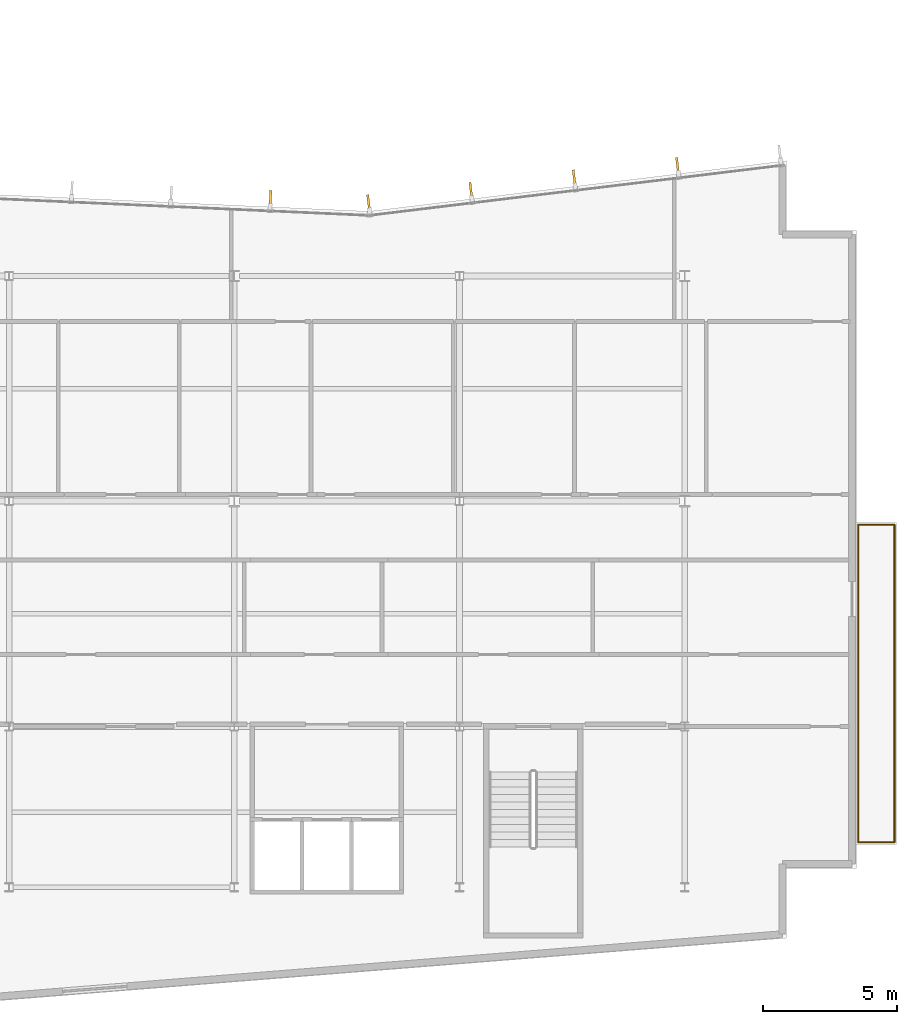
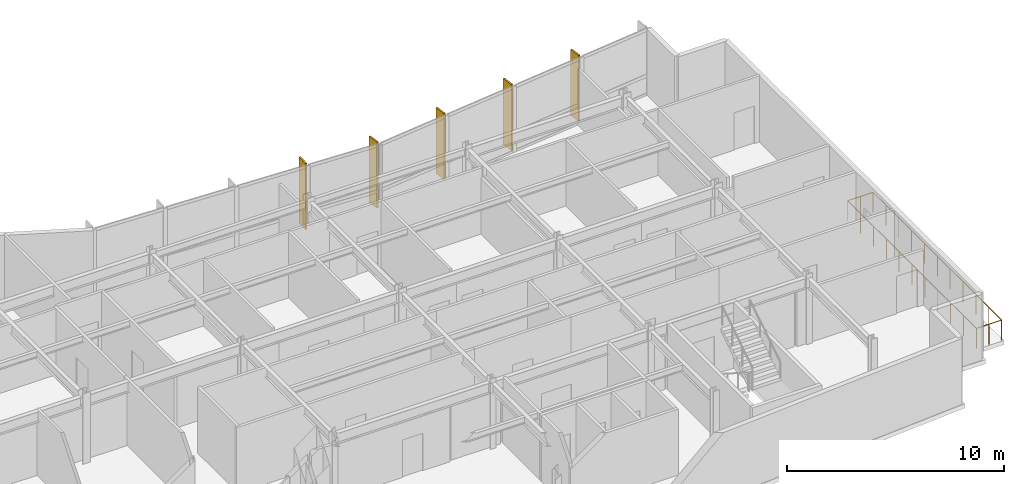
# One storey, part 15 of 17: 5 shading devices, 4 railings.
"""IFC4 building model written with IfcOpenShell, lengths in metres."""

import ifcopenshell
import ifcopenshell.guid

model = None  # the IFC model being written
_history = None  # IfcOwnerHistory: only IFC2X3 demands one
_inside = {}  # id of a spatial element -> (the spatial element, [elements in it])
_under = {}  # id of a project, library or spatial element -> (it, [spatial elements below it])
_declared = {}  # id of a project -> (the project, [libraries it declares])
_typed = {}  # id of a type object -> (the type object, [elements of that type])
_made_of = {}  # id of a material, layer set ... -> (it, [elements and type objects made of it])


def new_model(schema):
    """Start an empty IFC model of exactly this schema.

    Asked for "IFC4X3", IfcOpenShell would pick the latest addendum, in which some entities
    have other attributes; the version numbers below select the first issue.
    IFC2X3 requires an IfcOwnerHistory on every rooted entity: one is made here for all.
    """
    global model, _history
    if schema == "IFC4X3":
        model = ifcopenshell.file(schema_version=(4, 3, 0, 0))
    else:
        model = ifcopenshell.file(schema=schema)
    _inside.clear()
    _under.clear()
    _declared.clear()
    _typed.clear()
    _made_of.clear()
    _history = None
    if model.schema == "IFC2X3":
        org = make("IfcOrganization", Name="unknown")
        user = make(
            "IfcPersonAndOrganization",
            ThePerson=make("IfcPerson", FamilyName="unknown"),
            TheOrganization=org,
        )
        app = make(
            "IfcApplication",
            ApplicationDeveloper=org,
            Version="unknown",
            ApplicationFullName="unknown",
            ApplicationIdentifier="unknown",
        )
        _history = make(
            "IfcOwnerHistory",
            OwningUser=user,
            OwningApplication=app,
            ChangeAction="ADDED",
            CreationDate=0,
        )
    return model


def make(cls, **values):
    """One entity of the class cls with the attributes given. An attribute that is None is left unset."""
    return model.create_entity(
        cls, **{name: value for name, value in values.items() if value is not None}
    )


def rooted(cls, **values):
    """An entity with a GlobalId (a new one), such as an element, a storey or a relation."""
    return make(cls, GlobalId=ifcopenshell.guid.new(), OwnerHistory=_history, **values)


def si_unit(unit_type, name, prefix=None):
    """IfcSIUnit, for example si_unit("LENGTHUNIT", "METRE", prefix="MILLI")."""
    return make("IfcSIUnit", UnitType=unit_type, Prefix=prefix, Name=name)


def assignment(units):
    """IfcUnitAssignment: the units of a project."""
    return None if units is None else make("IfcUnitAssignment", Units=units)


def point(xyz):
    """IfcCartesianPoint."""
    return None if xyz is None else make("IfcCartesianPoint", Coordinates=xyz)


def direction(xyz):
    """IfcDirection."""
    return None if xyz is None else make("IfcDirection", DirectionRatios=xyz)


def frame(location, z_axis=None, x_axis=None):
    """IfcAxis2Placement3D, a coordinate frame: its origin and axes. An axis left out is left unset."""
    return make(
        "IfcAxis2Placement3D",
        Location=point(location),
        Axis=direction(z_axis),
        RefDirection=direction(x_axis),
    )


def frame_2d(location, x_axis=None):
    """IfcAxis2Placement2D, a coordinate frame in the plane: its origin and x axis."""
    return make(
        "IfcAxis2Placement2D", Location=point(location), RefDirection=direction(x_axis)
    )


def origin():
    """The frame at (0, 0, 0) with its axes left unset."""
    return frame((0.0, 0.0, 0.0))


def origin_2d():
    """The frame at (0, 0) in the plane with its x axis left unset."""
    return frame_2d((0.0, 0.0))


def place(relative_to, where):
    """IfcLocalPlacement: puts the frame where relative to a parent placement (None: the world)."""
    return make(
        "IfcLocalPlacement", PlacementRelTo=relative_to, RelativePlacement=where
    )


def context(
    kind, dimensions, precision=None, world=None, true_north=None, identifier=None
):
    """IfcGeometricRepresentationContext, for example the 3D "Model" context."""
    return make(
        "IfcGeometricRepresentationContext",
        ContextIdentifier=identifier,
        ContextType=kind,
        CoordinateSpaceDimension=dimensions,
        Precision=precision,
        WorldCoordinateSystem=world,
        TrueNorth=true_north,
    )


def subcontext(parent, identifier, kind, view, scale=None):
    """IfcGeometricRepresentationSubContext, for example "Body" below "Model"."""
    return make(
        "IfcGeometricRepresentationSubContext",
        ContextIdentifier=identifier,
        ContextType=kind,
        ParentContext=parent,
        TargetScale=scale,
        TargetView=view,
    )


def project(units=None, contexts=None):
    """IfcProject with its units and contexts."""
    return rooted(
        "IfcProject",
        Name="project",
        RepresentationContexts=contexts,
        UnitsInContext=assignment(units),
    )


def spatial(cls, under=None, at=None, **own):
    """A site, building, storey or space (cls), placed at a placement, below another one or the project."""
    s = rooted(cls, ObjectPlacement=at, **own)
    if under is not None:
        _under.setdefault(under.id(), (under, []))[1].append(s)
    return s


def profile(cls, at=None, kind="AREA", **sizes):
    """A parametric profile (cls). Its sizes go by their IFC names, for example OverallWidth=200.0."""
    return make(cls, ProfileType=kind, Position=at, **sizes)


def rectangle(**sizes):
    """IfcRectangleProfileDef."""
    return profile("IfcRectangleProfileDef", **sizes)


def circle(**sizes):
    """IfcCircleProfileDef."""
    return profile("IfcCircleProfileDef", **sizes)


def extrude(swept, where, along, depth):
    """IfcExtrudedAreaSolid: the profile swept, set in the frame where, extruded along a direction by depth."""
    return make(
        "IfcExtrudedAreaSolid",
        SweptArea=swept,
        Position=where,
        ExtrudedDirection=direction(along),
        Depth=depth,
    )


def shape(context_of_items, identifier, shape_type, items):
    """IfcShapeRepresentation: the items that make up one representation, for example the "Body"."""
    return make(
        "IfcShapeRepresentation",
        ContextOfItems=context_of_items,
        RepresentationIdentifier=identifier,
        RepresentationType=shape_type,
        Items=items,
    )


def material(Name=None, Category=None):
    """IfcMaterial."""
    return make("IfcMaterial", Name=Name, Category=Category)


def layer(
    of_material, thickness, ventilated=None, Name=None, Category=None, Priority=None
):
    """IfcMaterialLayer: one layer of a wall or slab, of a material (None: an air gap)."""
    return make(
        "IfcMaterialLayer",
        Material=of_material,
        LayerThickness=thickness,
        IsVentilated=ventilated,
        Name=Name,
        Category=Category,
        Priority=Priority,
    )


def layer_set(layers, Name=None):
    """IfcMaterialLayerSet."""
    return make("IfcMaterialLayerSet", MaterialLayers=layers, LayerSetName=Name)


def made_of(thing, what):
    """Note that an element or type object is made of a material, layer set ...; save() writes the relation."""
    if what is not None:
        _made_of.setdefault(what.id(), (what, []))[1].append(thing)
    return thing


def type_object(cls, material=None, **own):
    """A type object (cls), such as IfcWallType, which elements share."""
    return made_of(rooted(cls, **own), material)


def element(
    cls,
    number,
    at=None,
    inside=None,
    cuts=None,
    type_object=None,
    material=None,
    context=None,
    identifier="Body",
    shape_type=None,
    held_by="IfcProductDefinitionShape",
    body=None,
    shapes=None,
    **own,
):
    """One element of the class cls, such as IfcWall. Its Tag is "e" and its number.

    at: its placement. inside: the storey or other place that contains it. cuts: it is an
    opening in that element (IfcRelVoidsElement). A single representation is given by context,
    identifier, shape_type and body (its items); several are given by shapes. held_by: the class
    of the entity that holds the representations. save() writes the other relations.
    """
    e = rooted(cls, Tag="e%d" % number, ObjectPlacement=at, **own)
    if body is not None:
        shapes = [shape(context, identifier, shape_type, body)]
    if shapes is not None:
        e.Representation = make(held_by, Representations=shapes)
    if inside is not None:
        _inside.setdefault(inside.id(), (inside, []))[1].append(e)
    if cuts is not None:
        rooted(
            "IfcRelVoidsElement", RelatingBuildingElement=cuts, RelatedOpeningElement=e
        )
    if type_object is not None:
        _typed.setdefault(type_object.id(), (type_object, []))[1].append(e)
    return made_of(e, material)


def aggregate(whole, parts):
    """IfcRelAggregates: a whole, such as a stair, and the parts it consists of."""
    return rooted("IfcRelAggregates", RelatingObject=whole, RelatedObjects=parts)


def save(model, path):
    """Write the relations noted so far, then the file.

    IfcRelAggregates (storeys below a building ...), IfcRelContainedInSpatialStructure (elements
    in a storey), IfcRelDefinesByType, IfcRelAssociatesMaterial and IfcRelDeclares: one each for
    every whole, place, type object, material and project.
    """
    for whole, parts in _under.values():
        aggregate(whole, parts)
    for where, things in _inside.values():
        rooted(
            "IfcRelContainedInSpatialStructure",
            RelatedElements=things,
            RelatingStructure=where,
        )
    for kind, things in _typed.values():
        rooted("IfcRelDefinesByType", RelatedObjects=things, RelatingType=kind)
    for what, things in _made_of.values():
        rooted("IfcRelAssociatesMaterial", RelatedObjects=things, RelatingMaterial=what)
    for by, libraries in _declared.values():
        rooted("IfcRelDeclares", RelatingContext=by, RelatedDefinitions=libraries)
    model.write(path)


model = new_model("IFC4")

# Units and contexts
model_context = context("Model", 3, precision=1e-05, world=origin(), true_north=direction((0.0, 1.0)))
body_context = subcontext(model_context, "Body", "Model", "MODEL_VIEW")
ifc_project = project(units=[si_unit("LENGTHUNIT", "METRE"), si_unit("AREAUNIT", "SQUARE_METRE"), si_unit("VOLUMEUNIT", "CUBIC_METRE"), si_unit("PLANEANGLEUNIT", "RADIAN"), si_unit("MASSUNIT", "GRAM", prefix="KILO")], contexts=[model_context])

# Site, building, storey
site_placement = place(None, origin())
site = spatial("IfcSite", under=ifc_project, at=site_placement, CompositionType="ELEMENT")
building_placement = place(site_placement, origin())
building = spatial("IfcBuilding", under=site, at=building_placement, Name="Varnakote Quay Hospital", CompositionType="ELEMENT")
storey_placement = place(building_placement, frame((0.0, 0.0, 131.0)))
storey = spatial("IfcBuildingStorey", under=building, at=storey_placement, Name="L32", CompositionType="ELEMENT", Elevation=131.0)

# Railings
ifc_material_1 = material(Name="Anodised aluminium 6063-T6 Bronze", Category="aluminium")
railing_type = type_object("IfcRailingType", Name="RLG-EXT-GUARD-1150", PredefinedType="GUARDRAIL", material=ifc_material_1)
railing_1_placement = place(storey_placement, frame((56.8759765625, 7.679931640625, 0.0)))
element("IfcRailing", 1, at=railing_1_placement, inside=storey, type_object=railing_type, Name="L32 Zigzag Prow Healing Terrace Safety Guard", PredefinedType="GUARDRAIL", context=body_context, shape_type="SweptSolid", body=[
    extrude(circle(Radius=0.02392578125, at=origin_2d()), frame((0.0, 0.0, 1.1259765625), z_axis=(0.0, 1.0, 0.0), x_axis=(-1.0, 0.0, 0.0)), (0.0, 0.0, 1.0), 11.840087890625),
    extrude(circle(Radius=0.02099609375, at=origin_2d()), origin(), (0.0, 0.0, 1.0), 1.101806640625),
    extrude(circle(Radius=0.02099609375, at=origin_2d()), frame((0.0, 1.18408203125, 0.0)), (0.0, 0.0, 1.0), 1.101806640625),
    extrude(circle(Radius=0.02099609375, at=origin_2d()), frame((0.0, 2.367919921875, 0.0)), (0.0, 0.0, 1.0), 1.101806640625),
    extrude(circle(Radius=0.02099609375, at=origin_2d()), frame((0.0, 3.552001953125, 0.0)), (0.0, 0.0, 1.0), 1.101806640625),
    extrude(circle(Radius=0.02099609375, at=origin_2d()), frame((0.0, 4.736083984375, 0.0)), (0.0, 0.0, 1.0), 1.101806640625),
    extrude(circle(Radius=0.02099609375, at=origin_2d()), frame((0.0, 5.919921875, 0.0)), (0.0, 0.0, 1.0), 1.101806640625),
    extrude(circle(Radius=0.02099609375, at=origin_2d()), frame((0.0, 7.10400390625, 0.0)), (0.0, 0.0, 1.0), 1.101806640625),
    extrude(circle(Radius=0.02099609375, at=origin_2d()), frame((0.0, 8.2880859375, 0.0)), (0.0, 0.0, 1.0), 1.101806640625),
    extrude(circle(Radius=0.02099609375, at=origin_2d()), frame((0.0, 9.47216796875, 0.0)), (0.0, 0.0, 1.0), 1.101806640625),
    extrude(circle(Radius=0.02099609375, at=origin_2d()), frame((0.0, 10.656005859375, 0.0)), (0.0, 0.0, 1.0), 1.101806640625),
    extrude(circle(Radius=0.02099609375, at=origin_2d()), frame((0.0, 11.840087890625, 0.0)), (0.0, 0.0, 1.0), 1.101806640625),
])
railing_2_placement = place(storey_placement, frame((56.8759765625, 19.52001953125, 0.0)))
element("IfcRailing", 2, at=railing_2_placement, inside=storey, type_object=railing_type, Name="L32 Zigzag Prow Healing Terrace Safety Guard", PredefinedType="GUARDRAIL", context=body_context, shape_type="SweptSolid", body=[
    extrude(circle(Radius=0.02392578125, at=origin_2d()), frame((0.0, 0.0, 1.1259765625), z_axis=(1.0, 0.0, 0.0), x_axis=(0.0, 1.0, 0.0)), (0.0, 0.0, 1.0), 1.343994140625),
    extrude(circle(Radius=0.02099609375, at=origin_2d()), origin(), (0.0, 0.0, 1.0), 1.101806640625),
    extrude(circle(Radius=0.02099609375, at=origin_2d()), frame((0.671875, 0.0, 0.0)), (0.0, 0.0, 1.0), 1.101806640625),
    extrude(circle(Radius=0.02099609375, at=origin_2d()), frame((1.343994140625, 0.0, 0.0)), (0.0, 0.0, 1.0), 1.101806640625),
])
railing_3_placement = place(storey_placement, frame((58.219970703125, 19.52001953125, 0.0)))
element("IfcRailing", 3, at=railing_3_placement, inside=storey, type_object=railing_type, Name="L32 Zigzag Prow Healing Terrace Safety Guard", PredefinedType="GUARDRAIL", context=body_context, shape_type="SweptSolid", body=[
    extrude(circle(Radius=0.02392578125, at=origin_2d()), frame((0.0, 0.0, 1.1259765625), z_axis=(0.0, -1.0, 0.0), x_axis=(1.0, 0.0, 0.0)), (0.0, 0.0, 1.0), 11.840087890625),
    extrude(circle(Radius=0.02099609375, at=origin_2d()), origin(), (0.0, 0.0, 1.0), 1.101806640625),
    extrude(circle(Radius=0.02099609375, at=origin_2d()), frame((0.0, -1.18408203125, 0.0)), (0.0, 0.0, 1.0), 1.101806640625),
    extrude(circle(Radius=0.02099609375, at=origin_2d()), frame((0.0, -2.367919921875, 0.0)), (0.0, 0.0, 1.0), 1.101806640625),
    extrude(circle(Radius=0.02099609375, at=origin_2d()), frame((0.0, -3.552001953125, 0.0)), (0.0, 0.0, 1.0), 1.101806640625),
    extrude(circle(Radius=0.02099609375, at=origin_2d()), frame((0.0, -4.736083984375, 0.0)), (0.0, 0.0, 1.0), 1.101806640625),
    extrude(circle(Radius=0.02099609375, at=origin_2d()), frame((0.0, -5.919921875, 0.0)), (0.0, 0.0, 1.0), 1.101806640625),
    extrude(circle(Radius=0.02099609375, at=origin_2d()), frame((0.0, -7.10400390625, 0.0)), (0.0, 0.0, 1.0), 1.101806640625),
    extrude(circle(Radius=0.02099609375, at=origin_2d()), frame((0.0, -8.2880859375, 0.0)), (0.0, 0.0, 1.0), 1.101806640625),
    extrude(circle(Radius=0.02099609375, at=origin_2d()), frame((0.0, -9.47216796875, 0.0)), (0.0, 0.0, 1.0), 1.101806640625),
    extrude(circle(Radius=0.02099609375, at=origin_2d()), frame((0.0, -10.656005859375, 0.0)), (0.0, 0.0, 1.0), 1.101806640625),
    extrude(circle(Radius=0.02099609375, at=origin_2d()), frame((0.0, -11.840087890625, 0.0)), (0.0, 0.0, 1.0), 1.101806640625),
])
railing_4_placement = place(storey_placement, frame((58.219970703125, 7.679931640625, 0.0)))
element("IfcRailing", 4, at=railing_4_placement, inside=storey, type_object=railing_type, Name="L32 Zigzag Prow Healing Terrace Safety Guard", PredefinedType="GUARDRAIL", context=body_context, shape_type="SweptSolid", body=[
    extrude(circle(Radius=0.02392578125, at=origin_2d()), frame((0.0, 0.0, 1.1259765625), z_axis=(-1.0, 0.0, 0.0), x_axis=(0.0, -1.0, 0.0)), (0.0, 0.0, 1.0), 1.343994140625),
    extrude(circle(Radius=0.02099609375, at=origin_2d()), origin(), (0.0, 0.0, 1.0), 1.101806640625),
    extrude(circle(Radius=0.02099609375, at=origin_2d()), frame((-0.671875, 0.0, 0.0)), (0.0, 0.0, 1.0), 1.101806640625),
    extrude(circle(Radius=0.02099609375, at=origin_2d()), frame((-1.343994140625, 0.0, 0.0)), (0.0, 0.0, 1.0), 1.101806640625),
])

# Shading devices
ifc_material_2 = material(Name="Anodised aluminium 6063-T6 Bronze", Category="aluminium")
ifc_layer = layer(ifc_material_2, 0.0849609375)
ifc_layer_set = layer_set([ifc_layer], Name="Anodised aluminium 6063-T6 Bronze")
shading_device_type = type_object("IfcShadingDeviceType", Name="SHD-BRONZE-FIN-620", PredefinedType="USERDEFINED", material=ifc_layer_set)
for number, where, z_axis, x_axis, name in (
    (5, (50.131103515625, 32.9189453125, 0.0), (0.0, 0.0, 1.0), (0.120310105847, -0.992736358975, 0.0), "L32 Anodised Bronze Vertical Shading FIN"),
    (6, (46.278564453125, 32.4521484375, 0.0), (0.0, 0.0, 1.0), (0.120310105847, -0.992736358975, 0.0), "L32 Anodised Bronze Vertical Shading FIN"),
    (7, (42.426025390625, 31.985107421875, 0.0), (0.0, 0.0, 1.0), (0.120310105847, -0.992736358975, 0.0), "L32 Anodised Bronze Vertical Shading FIN"),
    (8, (38.61083984375, 31.522705078125, 0.0), (0.0, 0.0, 1.0), (0.120310105847, -0.992736358975, 0.0), "L32 Anodised Bronze Vertical Shading FIN"),
    (9, (34.947998046875, 31.68701171875, 0.0), (0.0, 0.0, 1.0), (-0.044839922168, -0.998994184858, 0.0), "L32 Anodised Bronze Vertical Shading FIN"),
):
    element("IfcShadingDevice", number, at=place(storey_placement, frame(where, z_axis=z_axis, x_axis=x_axis)), inside=storey, type_object=shading_device_type, Name=name, ObjectType="FIN", PredefinedType="USERDEFINED", context=body_context, shape_type="SweptSolid", body=[
        extrude(rectangle(XDim=0.6201171875, YDim=0.0849609375, at=origin_2d()), origin(), (0.0, 0.0, 1.0), 3.7099609375),
    ])

save(model, "model.ifc")
